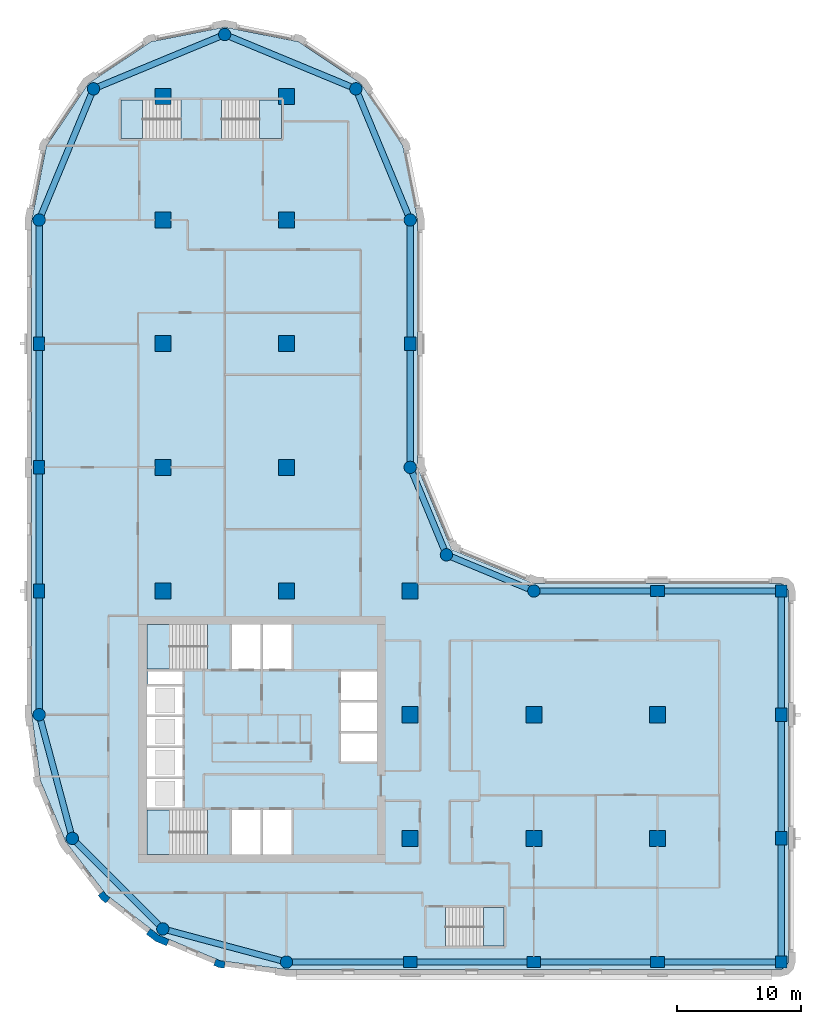
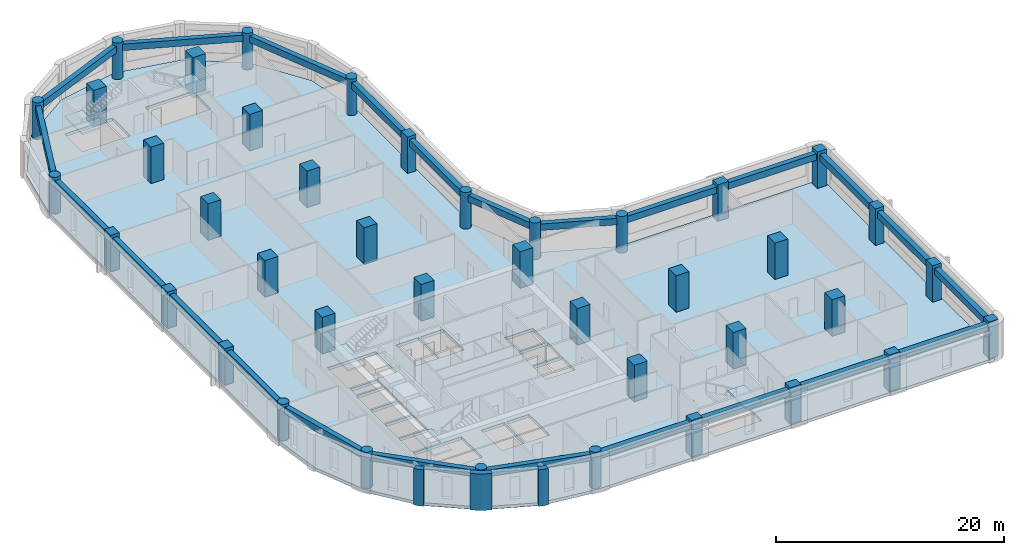
# One storey, part 1 of 10: 41 columns, 24 beams, 6 slabs, 3 walls, 5 elements without a shape of their own.
"""IFC4 building model written with IfcOpenShell, lengths in metres."""

from ifc_helpers import new_model, si_unit, direction, frame, origin, origin_2d, place, context, subcontext, project, spatial, polyline, rectangle, circle, outline, extrude, material, layer, layer_set, material_profile, profile_set, type_object, element, aggregate, save


model = new_model("IFC4")

# Units and contexts
model_context = context("Model", 3, precision=1e-05, world=origin(), true_north=direction((0.0, 1.0)))
body_context = subcontext(model_context, "Body", "Model", "MODEL_VIEW")
ifc_project = project(units=[si_unit("LENGTHUNIT", "METRE"), si_unit("AREAUNIT", "SQUARE_METRE"), si_unit("VOLUMEUNIT", "CUBIC_METRE"), si_unit("PLANEANGLEUNIT", "RADIAN"), si_unit("MASSUNIT", "GRAM", prefix="KILO")], contexts=[model_context])

# Site, building, storey
site_placement = place(None, origin())
site = spatial("IfcSite", under=ifc_project, at=site_placement, CompositionType="ELEMENT")
building_placement = place(site_placement, origin())
building = spatial("IfcBuilding", under=site, at=building_placement, Name="Qaws Garden Tower", CompositionType="ELEMENT")
storey_placement = place(building_placement, frame((0.0, 0.0, 201.89990234375)))
storey = spatial("IfcBuildingStorey", under=building, at=storey_placement, Name="L49", CompositionType="ELEMENT", Elevation=201.89990234375)

# Columns
ifc_material_1 = material(Name="Concrete C70", Category="concrete")
ifc_material_profile_1 = material_profile(ifc_material_1, rectangle(XDim=1.10009765625, YDim=0.89990234375, at=origin_2d()), Name="RC 1100x900")
ifc_profile_set_1 = profile_set([ifc_material_profile_1], Name="Concrete C70")
column_type_1 = type_object("IfcColumnType", Name="Column RC 1100x900 C70", PredefinedType="COLUMN", material=ifc_profile_set_1)
for number, where, z_axis, x_axis, name in (
    (1, (30.0, 0.0, 0.0), (0.0, 0.0, 1.0), (1.0, 0.0, 0.0), "Column L49-002"),
    (2, (40.0, 0.0, 0.0), (0.0, 0.0, 1.0), (1.0, 0.0, 0.0), "Column L49-003"),
    (3, (50.0, 0.0, 0.0), (0.0, 0.0, 1.0), (1.0, 0.0, 0.0), "Column L49-004"),
    (4, (60.0, 10.0, 0.0), (0.0, 0.0, 1.0), (0.0, 1.0, 0.0), "Column L49-006"),
    (5, (60.0, 20.0, 0.0), (0.0, 0.0, 1.0), (0.0, 1.0, 0.0), "Column L49-007"),
    (6, (50.0, 30.0, 0.0), (0.0, 0.0, 1.0), (1.0, 0.0, 0.0), "Column L49-009"),
    (7, (30.0, 50.0, 0.0), (0.0, 0.0, 1.0), (0.0, 1.0, 0.0), "Column L49-013"),
    (8, (0.0, 50.0, 0.0), (0.0, 0.0, 1.0), (0.0, 1.0, 0.0), "Column L49-019"),
    (9, (0.0, 40.0, 0.0), (0.0, 0.0, 1.0), (0.0, 1.0, 0.0), "Column L49-020"),
    (10, (0.0, 30.0, 0.0), (0.0, 0.0, 1.0), (0.0, 1.0, 0.0), "Column L49-021"),
):
    element("IfcColumn", number, at=place(storey_placement, frame(where, z_axis=z_axis, x_axis=x_axis)), inside=storey, type_object=column_type_1, Name=name, PredefinedType="COLUMN", context=body_context, shape_type="SweptSolid", body=[
        extrude(rectangle(XDim=1.10009765625, YDim=0.89990234375, at=origin_2d()), origin(), (0.0, 0.0, 1.0), 3.900146484375),
    ])
ifc_material_2 = material(Name="Concrete C70", Category="concrete")
ifc_material_profile_2 = material_profile(ifc_material_2, rectangle(XDim=1.300048828125, YDim=1.300048828125, at=origin_2d()), Name="RC 1300x1300")
ifc_profile_set_2 = profile_set([ifc_material_profile_2], Name="Concrete C70")
column_type_2 = type_object("IfcColumnType", Name="Column RC 1300x1300 C70", PredefinedType="COLUMN", material=ifc_profile_set_2)
for number, where, z_axis, x_axis, name in (
    (11, (10.0, 30.0, 0.0), (0.0, 0.0, 1.0), (1.0, 0.0, 0.0), "Column L49-025"),
    (12, (10.0, 40.0, 0.0), (0.0, 0.0, 1.0), (1.0, 0.0, 0.0), "Column L49-026"),
    (13, (10.0, 50.0, 0.0), (0.0, 0.0, 1.0), (1.0, 0.0, 0.0), "Column L49-027"),
    (14, (10.0, 60.0, 0.0), (0.0, 0.0, 1.0), (1.0, 0.0, 0.0), "Column L49-028"),
    (15, (10.0, 70.0, 0.0), (0.0, 0.0, 1.0), (1.0, 0.0, 0.0), "Column L49-029"),
    (16, (20.0, 30.0, 0.0), (0.0, 0.0, 1.0), (1.0, 0.0, 0.0), "Column L49-030"),
    (17, (20.0, 40.0, 0.0), (0.0, 0.0, 1.0), (1.0, 0.0, 0.0), "Column L49-031"),
    (18, (20.0, 50.0, 0.0), (0.0, 0.0, 1.0), (1.0, 0.0, 0.0), "Column L49-032"),
    (19, (20.0, 60.0, 0.0), (0.0, 0.0, 1.0), (1.0, 0.0, 0.0), "Column L49-033"),
    (20, (20.0, 70.0, 0.0), (0.0, 0.0, 1.0), (1.0, 0.0, 0.0), "Column L49-034"),
    (21, (30.0, 10.0, 0.0), (0.0, 0.0, 1.0), (1.0, 0.0, 0.0), "Column L49-035"),
    (22, (30.0, 20.0, 0.0), (0.0, 0.0, 1.0), (1.0, 0.0, 0.0), "Column L49-036"),
    (23, (30.0, 30.0, 0.0), (0.0, 0.0, 1.0), (1.0, 0.0, 0.0), "Column L49-037"),
    (24, (40.0, 10.0, 0.0), (0.0, 0.0, 1.0), (1.0, 0.0, 0.0), "Column L49-038"),
    (25, (40.0, 20.0, 0.0), (0.0, 0.0, 1.0), (1.0, 0.0, 0.0), "Column L49-039"),
    (26, (50.0, 10.0, 0.0), (0.0, 0.0, 1.0), (1.0, 0.0, 0.0), "Column L49-040"),
    (27, (50.0, 20.0, 0.0), (0.0, 0.0, 1.0), (1.0, 0.0, 0.0), "Column L49-041"),
):
    element("IfcColumn", number, at=place(storey_placement, frame(where, z_axis=z_axis, x_axis=x_axis)), inside=storey, type_object=column_type_2, Name=name, PredefinedType="COLUMN", context=body_context, shape_type="SweptSolid", body=[
        extrude(rectangle(XDim=1.300048828125, YDim=1.300048828125, at=origin_2d()), origin(), (0.0, 0.0, 1.0), 3.900146484375),
    ])
ifc_material_3 = material(Name="Concrete C70", Category="concrete")
ifc_material_profile_3 = material_profile(ifc_material_3, rectangle(XDim=0.949951171875, YDim=0.949951171875, at=origin_2d()), Name="RC 950x950")
ifc_profile_set_3 = profile_set([ifc_material_profile_3], Name="Concrete C70")
column_type_3 = type_object("IfcColumnType", Name="Column RC 950x950 C70", PredefinedType="COLUMN", material=ifc_profile_set_3)
for number, where, z_axis, x_axis, name in (
    (28, (60.0, 0.0, 0.0), (0.0, 0.0, 1.0), (1.0, 0.0, 0.0), "Column L49-005"),
    (29, (60.0, 30.0, 0.0), (0.0, 0.0, 1.0), (1.0, 0.0, 0.0), "Column L49-008"),
):
    element("IfcColumn", number, at=place(storey_placement, frame(where, z_axis=z_axis, x_axis=x_axis)), inside=storey, type_object=column_type_3, Name=name, PredefinedType="COLUMN", context=body_context, shape_type="SweptSolid", body=[
        extrude(rectangle(XDim=0.949951171875, YDim=0.949951171875, at=origin_2d()), origin(), (0.0, 0.0, 1.0), 3.900146484375),
    ])
ifc_material_4 = material(Name="Concrete C70", Category="concrete")
ifc_material_profile_4 = material_profile(ifc_material_4, circle(Radius=0.5, at=origin_2d()), Name="RC D1000")
ifc_profile_set_4 = profile_set([ifc_material_profile_4], Name="Concrete C70")
column_type_4 = type_object("IfcColumnType", Name="Column RC D1000 C70", PredefinedType="COLUMN", material=ifc_profile_set_4)
for number, where, z_axis, x_axis, name in (
    (30, (20.0, 0.0, 0.0), (0.0, 0.0, 1.0), (1.0, 0.0, 0.0), "Column L49-001"),
    (31, (40.0, 30.0, 0.0), (0.0, 0.0, 1.0), (1.0, 0.0, 0.0), "Column L49-010"),
    (32, (32.928955078125, 32.928955078125, 0.0), (0.0, 0.0, 1.0), (1.0, 0.0, 0.0), "Column L49-011"),
    (33, (30.0, 40.0, 0.0), (0.0, 0.0, 1.0), (1.0, 0.0, 0.0), "Column L49-012"),
    (34, (30.0, 60.0, 0.0), (0.0, 0.0, 1.0), (1.0, 0.0, 0.0), "Column L49-014"),
    (35, (25.606689453125, 70.606689453125, 0.0), (0.0, 0.0, 1.0), (1.0, 0.0, 0.0), "Column L49-015"),
    (36, (15.0, 75.0, 0.0), (0.0, 0.0, 1.0), (1.0, 0.0, 0.0), "Column L49-016"),
    (37, (4.393310546875, 70.606689453125, 0.0), (0.0, 0.0, 1.0), (1.0, 0.0, 0.0), "Column L49-017"),
    (38, (0.0, 60.0, 0.0), (0.0, 0.0, 1.0), (1.0, 0.0, 0.0), "Column L49-018"),
    (39, (0.0, 20.0, 0.0), (0.0, 0.0, 1.0), (1.0, 0.0, 0.0), "Column L49-022"),
    (40, (2.679443359375, 10.0, 0.0), (0.0, 0.0, 1.0), (1.0, 0.0, 0.0), "Column L49-023"),
    (41, (10.0, 2.679443359375, 0.0), (0.0, 0.0, 1.0), (1.0, 0.0, 0.0), "Column L49-024"),
):
    element("IfcColumn", number, at=place(storey_placement, frame(where, z_axis=z_axis, x_axis=x_axis)), inside=storey, type_object=column_type_4, Name=name, PredefinedType="COLUMN", context=body_context, shape_type="SweptSolid", body=[
        extrude(circle(Radius=0.5, at=origin_2d()), origin(), (0.0, 0.0, 1.0), 3.900146484375),
    ])

# Beams
ifc_material_5 = material(Name="Concrete C45", Category="concrete")
ifc_material_profile_5 = material_profile(ifc_material_5, rectangle(XDim=0.5, YDim=0.699951171875, at=origin_2d()), Name="RC 500x700")
ifc_profile_set_5 = profile_set([ifc_material_profile_5], Name="Concrete C45")
beam_type = type_object("IfcBeamType", Name="Spandrel beam RC 500x700 C45", PredefinedType="SPANDREL", material=ifc_profile_set_5)
for number, where, z_axis, x_axis, name in (
    (42, (20.0, 0.0, 3.22998046875), (1.0, 0.0, 0.0), (0.0, 1.0, 0.0), "Spandrel beam L49-001"),
    (43, (30.0, 0.0, 3.22998046875), (1.0, 0.0, 0.0), (0.0, 1.0, 0.0), "Spandrel beam L49-002"),
    (44, (40.0, 0.0, 3.22998046875), (1.0, 0.0, 0.0), (0.0, 1.0, 0.0), "Spandrel beam L49-003"),
    (45, (50.0, 0.0, 3.22998046875), (1.0, 0.0, 0.0), (0.0, 1.0, 0.0), "Spandrel beam L49-004"),
    (46, (60.0, 0.0, 3.22998046875), (0.0, 1.0, 0.0), (-1.0, 0.0, 0.0), "Spandrel beam L49-005"),
    (47, (60.0, 10.0, 3.22998046875), (0.0, 1.0, 0.0), (-1.0, 0.0, 0.0), "Spandrel beam L49-006"),
    (48, (60.0, 20.0, 3.22998046875), (0.0, 1.0, 0.0), (-1.0, 0.0, 0.0), "Spandrel beam L49-007"),
    (49, (60.0, 30.0, 3.22998046875), (-1.0, 0.0, 0.0), (0.0, -1.0, 0.0), "Spandrel beam L49-008"),
    (50, (50.0, 30.0, 3.22998046875), (-1.0, 0.0, 0.0), (0.0, -1.0, 0.0), "Spandrel beam L49-009"),
):
    element("IfcBeam", number, at=place(storey_placement, frame(where, z_axis=z_axis, x_axis=x_axis)), inside=storey, type_object=beam_type, Name=name, PredefinedType="SPANDREL", context=body_context, shape_type="SweptSolid", body=[
        extrude(rectangle(XDim=0.5, YDim=0.699951171875, at=origin_2d()), origin(), (0.0, 0.0, 1.0), 10.0),
    ])
for number, where, z_axis, x_axis, name in (
    (51, (40.0, 30.0, 3.22998046875), (-0.923878037141, 0.382687042488, 0.0), (-0.382687042488, -0.923878037141, 0.0), "Spandrel beam L49-010"),
    (52, (32.928955078125, 32.928955078125, 3.22998046875), (-0.382687042488, 0.923878037141, 0.0), (-0.923878037141, -0.382687042488, 0.0), "Spandrel beam L49-011"),
):
    element("IfcBeam", number, at=place(storey_placement, frame(where, z_axis=z_axis, x_axis=x_axis)), inside=storey, type_object=beam_type, Name=name, PredefinedType="SPANDREL", context=body_context, shape_type="SweptSolid", body=[
        extrude(rectangle(XDim=0.5, YDim=0.699951171875, at=origin_2d()), origin(), (0.0, 0.0, 1.0), 7.653564453125),
    ])
for number, where, z_axis, x_axis, name in (
    (53, (30.0, 40.0, 3.22998046875), (0.0, 1.0, 0.0), (-1.0, 0.0, 0.0), "Spandrel beam L49-012"),
    (54, (30.0, 50.0, 3.22998046875), (0.0, 1.0, 0.0), (-1.0, 0.0, 0.0), "Spandrel beam L49-013"),
):
    element("IfcBeam", number, at=place(storey_placement, frame(where, z_axis=z_axis, x_axis=x_axis)), inside=storey, type_object=beam_type, Name=name, PredefinedType="SPANDREL", context=body_context, shape_type="SweptSolid", body=[
        extrude(rectangle(XDim=0.5, YDim=0.699951171875, at=origin_2d()), origin(), (0.0, 0.0, 1.0), 10.0),
    ])
for number, where, z_axis, x_axis, name in (
    (55, (30.0, 60.0, 3.22998046875), (-0.382674207535, 0.923883353507, 0.0), (-0.923883353507, -0.382674207535, 0.0), "Spandrel beam L49-014"),
    (56, (25.606689453125, 70.606689453125, 3.22998046875), (-0.923883353507, 0.382674207535, 0.0), (-0.382674207535, -0.923883353507, 0.0), "Spandrel beam L49-015"),
    (57, (15.0, 75.0, 3.22998046875), (-0.923883353507, -0.382674207535, 0.0), (0.382674207535, -0.923883353507, 0.0), "Spandrel beam L49-016"),
    (58, (4.393310546875, 70.606689453125, 3.22998046875), (-0.382674207535, -0.923883353507, 0.0), (0.923883353507, -0.382674207535, 0.0), "Spandrel beam L49-017"),
):
    element("IfcBeam", number, at=place(storey_placement, frame(where, z_axis=z_axis, x_axis=x_axis)), inside=storey, type_object=beam_type, Name=name, PredefinedType="SPANDREL", context=body_context, shape_type="SweptSolid", body=[
        extrude(rectangle(XDim=0.5, YDim=0.699951171875, at=origin_2d()), origin(), (0.0, 0.0, 1.0), 11.48046875),
    ])
for number, where, z_axis, x_axis, name in (
    (59, (0.0, 60.0, 3.22998046875), (0.0, -1.0, 0.0), (1.0, 0.0, 0.0), "Spandrel beam L49-018"),
    (60, (0.0, 50.0, 3.22998046875), (0.0, -1.0, 0.0), (1.0, 0.0, 0.0), "Spandrel beam L49-019"),
    (61, (0.0, 40.0, 3.22998046875), (0.0, -1.0, 0.0), (1.0, 0.0, 0.0), "Spandrel beam L49-020"),
    (62, (0.0, 30.0, 3.22998046875), (0.0, -1.0, 0.0), (1.0, 0.0, 0.0), "Spandrel beam L49-021"),
):
    element("IfcBeam", number, at=place(storey_placement, frame(where, z_axis=z_axis, x_axis=x_axis)), inside=storey, type_object=beam_type, Name=name, PredefinedType="SPANDREL", context=body_context, shape_type="SweptSolid", body=[
        extrude(rectangle(XDim=0.5, YDim=0.699951171875, at=origin_2d()), origin(), (0.0, 0.0, 1.0), 10.0),
    ])
for number, where, z_axis, x_axis, name in (
    (63, (0.0, 20.0, 3.22998046875), (0.25881466832, -0.965926999034, 0.0), (0.965926999034, 0.25881466832, 0.0), "Spandrel beam L49-022"),
    (64, (2.679443359375, 10.0, 3.22998046875), (0.707106781187, -0.707106781187, 0.0), (0.707106781187, 0.707106781187, 0.0), "Spandrel beam L49-023"),
    (65, (10.0, 2.679443359375, 3.22998046875), (0.965926999034, -0.25881466832, 0.0), (0.25881466832, 0.965926999034, 0.0), "Spandrel beam L49-024"),
):
    element("IfcBeam", number, at=place(storey_placement, frame(where, z_axis=z_axis, x_axis=x_axis)), inside=storey, type_object=beam_type, Name=name, PredefinedType="SPANDREL", context=body_context, shape_type="SweptSolid", body=[
        extrude(rectangle(XDim=0.5, YDim=0.699951171875, at=origin_2d()), origin(), (0.0, 0.0, 1.0), 10.352783203125),
    ])

# Slab
ifc_material_6 = material(Name="Concrete C40", Category="concrete")
ifc_layer_1 = layer(ifc_material_6, 0.320068359375)
ifc_layer_set_1 = layer_set([ifc_layer_1], Name="Concrete C40")
slab_type_1 = type_object("IfcSlabType", Name="Floor slab 320 C40", PredefinedType="FLOOR", material=ifc_layer_set_1)
slab_1_placement = place(storey_placement, frame((0.0, 0.0, -0.31982421875)))
element("IfcSlab", 66, at=slab_1_placement, inside=storey, type_object=slab_type_1, Name="Floor slab L49", PredefinedType="FLOOR", context=body_context, shape_type="SweptSolid", body=[
    extrude(outline(polyline([(0.101806640625, 14.668212890625), (-0.60009765625, 20.0), (-0.60009765625, 30.60009765625), (-0.60009765625, 60.0), (-0.60009765625, 60.0), (0.58740234375, 65.969970703125), (3.968994140625, 71.031005859375), (9.030029296875, 74.41259765625), (15.0, 75.60009765625), (20.969970703125, 74.41259765625), (26.031005859375, 71.031005859375), (29.41259765625, 65.969970703125), (30.60009765625, 60.0), (30.60009765625, 40.0), (33.353271484375, 33.353271484375), (40.0, 30.60009765625), (60.0, 30.60009765625), (60.42431640625, 30.42431640625), (60.60009765625, 30.0), (60.60009765625, 0.0), (60.42431640625, -0.42431640625), (60.0, -0.60009765625), (30.60009765625, -0.60009765625), (20.0, -0.60009765625), (14.668212890625, 0.101806640625), (9.699951171875, 2.159912109375), (5.43359375, 5.43359375), (2.159912109375, 9.699951171875), (0.101806640625, 14.668212890625)]), holes=[polyline([(13.599609375, 12.300048828125), (8.699951171875, 12.300048828125), (8.699951171875, 8.699951171875), (13.599609375, 8.699951171875), (13.599609375, 12.300048828125)]), polyline([(17.89990234375, 12.300048828125), (15.60009765625, 12.300048828125), (15.60009765625, 8.699951171875), (17.89990234375, 8.699951171875), (17.89990234375, 12.300048828125)]), polyline([(11.60009765625, 14.800048828125), (8.699951171875, 14.800048828125), (8.699951171875, 12.5), (11.60009765625, 12.5), (11.60009765625, 14.800048828125)]), polyline([(11.60009765625, 17.300048828125), (8.699951171875, 17.300048828125), (8.699951171875, 15.0), (11.60009765625, 15.0), (11.60009765625, 17.300048828125)]), polyline([(11.60009765625, 19.800048828125), (8.699951171875, 19.800048828125), (8.699951171875, 17.5), (11.60009765625, 17.5), (11.60009765625, 19.800048828125)]), polyline([(11.60009765625, 22.300048828125), (8.699951171875, 22.300048828125), (8.699951171875, 20.0), (11.60009765625, 20.0), (11.60009765625, 22.300048828125)]), polyline([(11.60009765625, 23.5), (8.800048828125, 23.5), (8.800048828125, 22.5), (11.60009765625, 22.5), (11.60009765625, 23.5)]), polyline([(13.599609375, 27.300048828125), (8.699951171875, 27.300048828125), (8.699951171875, 23.699951171875), (13.599609375, 23.699951171875), (13.599609375, 27.300048828125)]), polyline([(11.449462890625, 69.699951171875), (6.60009765625, 69.699951171875), (6.60009765625, 66.60009765625), (11.449462890625, 66.60009765625), (11.449462890625, 69.699951171875)]), polyline([(37.60009765625, 4.39990234375), (32.8505859375, 4.39990234375), (32.8505859375, 1.300048828125), (37.60009765625, 1.300048828125), (37.60009765625, 4.39990234375)]), polyline([(20.39990234375, 12.300048828125), (18.10009765625, 12.300048828125), (18.10009765625, 8.699951171875), (20.39990234375, 8.699951171875), (20.39990234375, 12.300048828125)]), polyline([(27.300048828125, 18.5), (24.39990234375, 18.5), (24.39990234375, 16.199951171875), (27.300048828125, 16.199951171875), (27.300048828125, 18.5)]), polyline([(27.300048828125, 21.0), (24.39990234375, 21.0), (24.39990234375, 18.699951171875), (27.300048828125, 18.699951171875), (27.300048828125, 21.0)]), polyline([(27.300048828125, 23.5), (24.39990234375, 23.5), (24.39990234375, 21.199951171875), (27.300048828125, 21.199951171875), (27.300048828125, 23.5)]), polyline([(17.89990234375, 27.300048828125), (15.60009765625, 27.300048828125), (15.60009765625, 23.699951171875), (17.89990234375, 23.699951171875), (17.89990234375, 27.300048828125)]), polyline([(20.39990234375, 23.699951171875), (20.39990234375, 27.300048828125), (18.10009765625, 27.300048828125), (18.10009765625, 23.699951171875), (20.39990234375, 23.699951171875)]), polyline([(19.60009765625, 66.60009765625), (19.60009765625, 69.699951171875), (14.75048828125, 69.699951171875), (14.75048828125, 66.60009765625), (19.60009765625, 66.60009765625)])]), origin(), (0.0, 0.0, 1.0), 0.31982421875),
])

# Stair, slab
ifc_material_7 = material(Name="Concrete C40", Category="concrete")
stair_type_1 = type_object("IfcStairType", Name="Exit stair 1500", PredefinedType="HALF_TURN_STAIR", material=ifc_material_7)
placement_1 = place(storey_placement, origin())
stair_1 = element("IfcStair", 67, at=placement_1, inside=storey, type_object=stair_type_1, Name="Stair 1", PredefinedType="HALF_TURN_STAIR")
ifc_material_8 = material(Name="Concrete C40", Category="concrete")
ifc_layer_2 = layer(ifc_material_8, 0.199951171875)
ifc_layer_set_2 = layer_set([ifc_layer_2], Name="Concrete C40")
slab_type_2 = type_object("IfcSlabType", Name="Stair landing 200", PredefinedType="LANDING", material=ifc_layer_set_2)
placement_2 = place(storey_placement, frame((0.0, 0.0, 1.75)))
slab_2 = element("IfcSlab", 68, at=placement_2, type_object=slab_type_2, Name="ST1 landing 1", PredefinedType="LANDING", context=body_context, shape_type="SweptSolid", body=[
    extrude(outline(polyline([(8.699951171875, 8.699951171875), (10.52001953125, 8.699951171875), (10.52001953125, 12.300048828125), (8.699951171875, 12.300048828125), (8.699951171875, 8.699951171875)])), origin(), (0.0, 0.0, 1.0), 0.2001953125),
])
aggregate(stair_1, [slab_2])

stair_2 = element("IfcStair", 69, at=placement_1, inside=storey, type_object=stair_type_1, Name="Stair 4", PredefinedType="HALF_TURN_STAIR")
slab_3 = element("IfcSlab", 70, at=placement_2, type_object=slab_type_2, Name="ST4 landing 1", PredefinedType="LANDING", context=body_context, shape_type="SweptSolid", body=[
    extrude(outline(polyline([(8.699951171875, 23.699951171875), (10.52001953125, 23.699951171875), (10.52001953125, 27.300048828125), (8.699951171875, 27.300048828125), (8.699951171875, 23.699951171875)])), origin(), (0.0, 0.0, 1.0), 0.2001953125),
])
aggregate(stair_2, [slab_3])

ifc_material_9 = material(Name="Concrete C40", Category="concrete")
stair_type_2 = type_object("IfcStairType", Name="Exit stair 1350", PredefinedType="HALF_TURN_STAIR", material=ifc_material_9)
stair_3 = element("IfcStair", 71, at=placement_1, inside=storey, type_object=stair_type_2, Name="Stair 5", PredefinedType="HALF_TURN_STAIR")
slab_4 = element("IfcSlab", 72, at=placement_2, type_object=slab_type_2, Name="ST5 landing 1", PredefinedType="LANDING", context=body_context, shape_type="SweptSolid", body=[
    extrude(outline(polyline([(35.929931640625, 1.300048828125), (37.60009765625, 1.300048828125), (37.60009765625, 4.39990234375), (35.929931640625, 4.39990234375), (35.929931640625, 1.300048828125)])), origin(), (0.0, 0.0, 1.0), 0.2001953125),
])
aggregate(stair_3, [slab_4])

stair_4 = element("IfcStair", 73, at=placement_1, inside=storey, type_object=stair_type_2, Name="Stair 6", PredefinedType="HALF_TURN_STAIR")
slab_5 = element("IfcSlab", 74, at=placement_2, type_object=slab_type_2, Name="ST6 landing 1", PredefinedType="LANDING", context=body_context, shape_type="SweptSolid", body=[
    extrude(outline(polyline([(6.60009765625, 66.60009765625), (8.3701171875, 66.60009765625), (8.3701171875, 69.699951171875), (6.60009765625, 69.699951171875), (6.60009765625, 66.60009765625)])), origin(), (0.0, 0.0, 1.0), 0.2001953125),
])
aggregate(stair_4, [slab_5])

stair_5 = element("IfcStair", 75, at=placement_1, inside=storey, type_object=stair_type_2, Name="Stair 7", PredefinedType="HALF_TURN_STAIR")
slab_6 = element("IfcSlab", 76, at=placement_2, type_object=slab_type_2, Name="ST7 landing 1", PredefinedType="LANDING", context=body_context, shape_type="SweptSolid", body=[
    extrude(outline(polyline([(17.830078125, 66.60009765625), (19.60009765625, 66.60009765625), (19.60009765625, 69.699951171875), (17.830078125, 69.699951171875), (17.830078125, 66.60009765625)])), origin(), (0.0, 0.0, 1.0), 0.2001953125),
])
aggregate(stair_5, [slab_6])

# Walls
ifc_material_10 = material(Name="Clay facing brick masonry", Category="masonry")
ifc_layer_3 = layer(ifc_material_10, 0.550048828125)
ifc_layer_set_3 = layer_set([ifc_layer_3], Name="Clay facing brick masonry")
wall_type_1 = type_object("IfcWallType", Name="Brick kink pier 550 x 600", PredefinedType="SOLIDWALL", material=ifc_layer_set_3)
element("IfcWall", 77, at=placement_1, inside=storey, type_object=wall_type_1, Name="E-L49-pier-28", PredefinedType="SOLIDWALL", context=body_context, shape_type="SweptSolid", body=[
    extrude(outline(polyline([(4.8818359375, 5.487060546875), (4.762939453125, 5.395751953125), (5.03759765625, 5.03759765625), (5.395751953125, 4.762939453125), (5.487060546875, 4.8818359375), (5.730712890625, 5.19921875), (5.429931640625, 5.429931640625), (5.19921875, 5.730712890625), (4.8818359375, 5.487060546875)])), origin(), (0.0, 0.0, 1.0), 3.900146484375),
])
element("IfcWall", 78, at=placement_1, inside=storey, type_object=wall_type_1, Name="E-L49-pier-30", PredefinedType="SOLIDWALL", context=body_context, shape_type="SweptSolid", body=[
    extrude(outline(polyline([(14.163818359375, -0.127685546875), (14.1064453125, -0.26611328125), (14.5234375, -0.43896484375), (14.970947265625, -0.497802734375), (14.990478515625, -0.34912109375), (15.042724609375, 0.04736328125), (14.6669921875, 0.096923828125), (14.31689453125, 0.241943359375), (14.163818359375, -0.127685546875)])), origin(), (0.0, 0.0, 1.0), 3.900146484375),
])
ifc_material_11 = material(Name="Clay facing brick masonry", Category="masonry")
ifc_layer_4 = layer(ifc_material_11, 0.550048828125)
ifc_layer_set_4 = layer_set([ifc_layer_4], Name="Clay facing brick masonry")
wall_type_2 = type_object("IfcWallType", Name="Brick pier 550 x 1600", PredefinedType="SOLIDWALL", material=ifc_layer_set_4)
element("IfcWall", 79, at=placement_1, inside=storey, type_object=wall_type_2, Name="E-L49-pier-29", PredefinedType="SOLIDWALL", context=body_context, shape_type="SweptSolid", body=[
    extrude(outline(polyline([(8.756591796875, 2.373046875), (8.665283203125, 2.254150390625), (9.419921875, 1.675048828125), (10.299072265625, 1.310791015625), (10.3564453125, 1.449462890625), (10.509521484375, 1.819091796875), (9.697509765625, 2.1552734375), (9.0, 2.6904296875), (8.756591796875, 2.373046875)])), origin(), (0.0, 0.0, 1.0), 3.900146484375),
])

save(model, "model.ifc")
